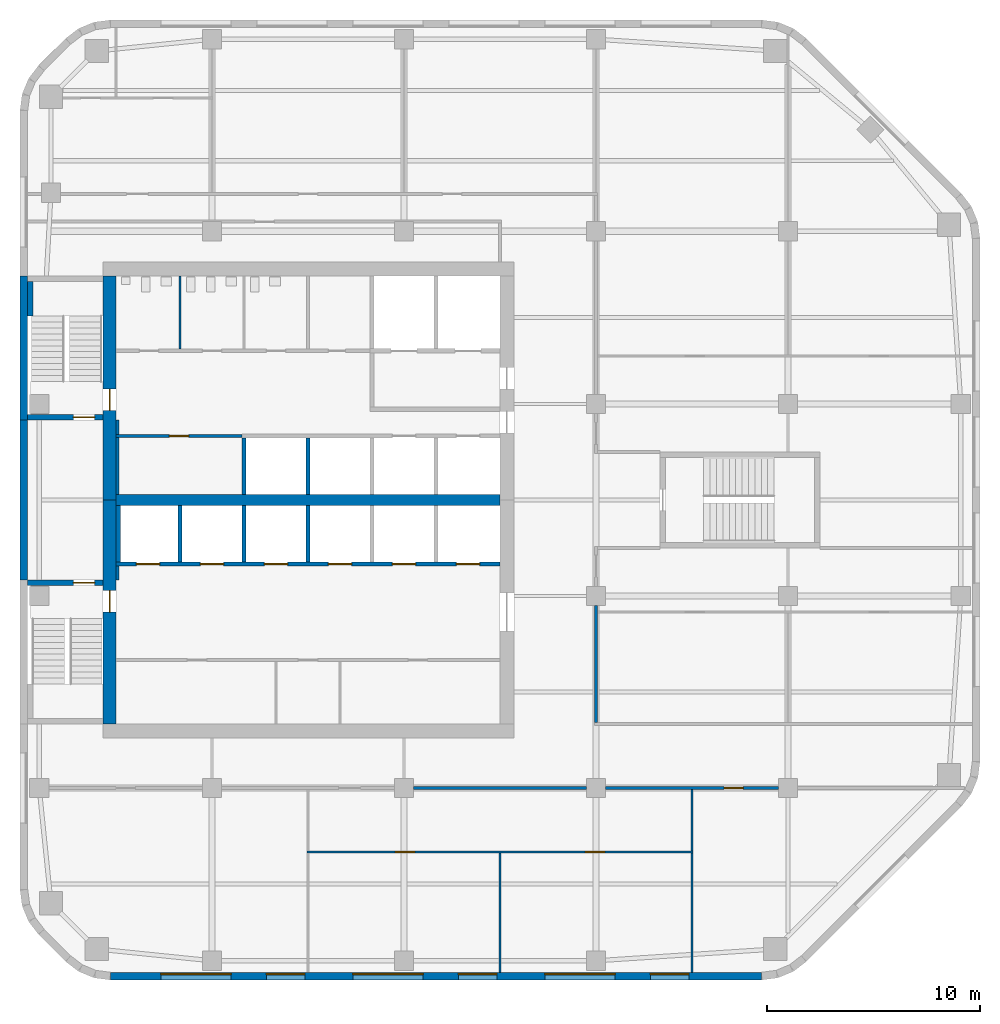
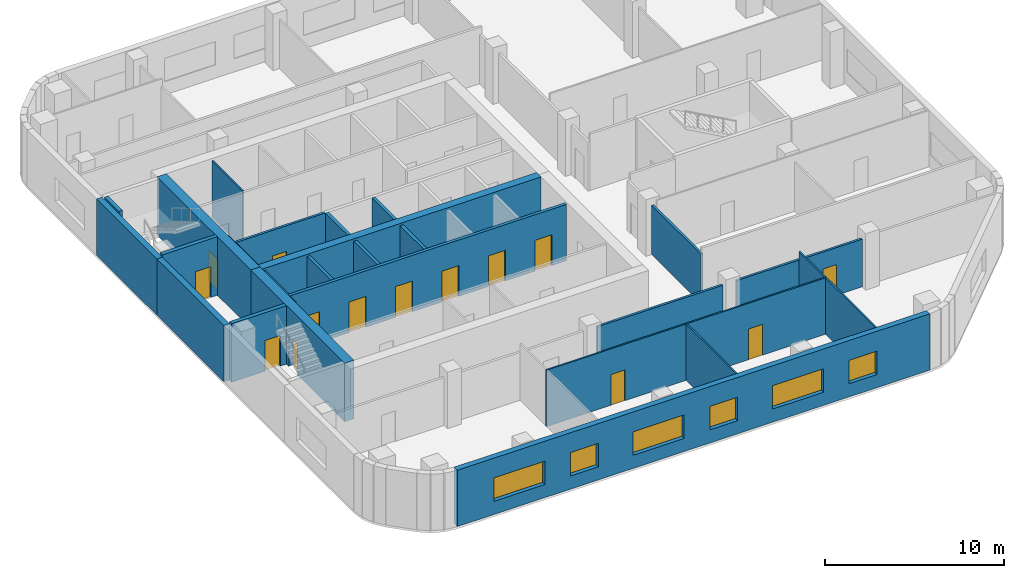
# One storey, part 3 of 8: 28 walls, 14 doors, 6 windows, 20 openings.
"""IFC4 building model written with IfcOpenShell, lengths in metres."""

from ifc_helpers import new_model, si_unit, direction, frame, frame_2d, origin, place, context, subcontext, project, spatial, rectangle, extrude, material, layer, layer_set, type_object, element, fill, save


model = new_model("IFC4")

# Units and contexts
model_context = context("Model", 3, precision=1e-05, world=origin(), true_north=direction((0.0, 1.0)))
body_context = subcontext(model_context, "Body", "Model", "MODEL_VIEW")
ifc_project = project(units=[si_unit("LENGTHUNIT", "METRE"), si_unit("AREAUNIT", "SQUARE_METRE"), si_unit("VOLUMEUNIT", "CUBIC_METRE"), si_unit("PLANEANGLEUNIT", "RADIAN"), si_unit("MASSUNIT", "GRAM", prefix="KILO")], contexts=[model_context])

# Site, building, storey
site_placement = place(None, origin())
site = spatial("IfcSite", under=ifc_project, at=site_placement, CompositionType="ELEMENT")
building_placement = place(site_placement, origin())
building = spatial("IfcBuilding", under=site, at=building_placement, Name="Cinnabar Reach Civic Tower", CompositionType="ELEMENT")
storey_placement = place(building_placement, frame((0.0, 0.0, 161.0)))
storey = spatial("IfcBuildingStorey", under=building, at=storey_placement, Name="L38", CompositionType="ELEMENT", Elevation=161.0)

# Wall, openings, windows
ifc_material_1 = material(Name="Facing brick with insulated backing", Category="masonry")
ifc_layer_1 = layer(ifc_material_1, 0.36)
ifc_layer_set_1 = layer_set([ifc_layer_1], Name="Brick pier and spandrel wall")
wall_type_1 = type_object("IfcWallType", Name="Brick pier and spandrel wall", PredefinedType="STANDARD", material=ifc_layer_set_1)
wall_1_placement = place(storey_placement, frame((4.2426, 9.18, 0.0), z_axis=(0.0, 0.0, 1.0), x_axis=(1.0, 0.0, 0.0)))
wall_1 = element("IfcWall", 1, at=wall_1_placement, inside=storey, type_object=wall_type_1, Name="Brick facade wall", PredefinedType="STANDARD", context=body_context, shape_type="SweptSolid", body=[
    extrude(rectangle(XDim=30.5148, YDim=0.36, at=frame_2d((15.2574, 0.0))), origin(), (0.0, 0.0, 1.0), 3.85),
])
opening_1_placement = place(wall_1_placement, frame((2.3574, 0.0, 0.9)))
opening_1 = element("IfcOpeningElement", 2, at=opening_1_placement, cuts=wall_1, Name="Opening W1781", PredefinedType="OPENING", context=body_context, shape_type="SweptSolid", body=[
    extrude(rectangle(XDim=3.3, YDim=1.6, at=frame_2d((1.65, 0.8))), frame((0.0, 0.19, 0.0), z_axis=(0.0, -1.0, 0.0), x_axis=(1.0, 0.0, 0.0)), (0.0, 0.0, 1.0), 0.38),
])
opening_2_placement = place(wall_1_placement, frame((7.3074, 0.0, 0.9)))
opening_2 = element("IfcOpeningElement", 3, at=opening_2_placement, cuts=wall_1, Name="Opening W1782", PredefinedType="OPENING", context=body_context, shape_type="SweptSolid", body=[
    extrude(rectangle(XDim=1.8, YDim=1.6, at=frame_2d((0.9, 0.8))), frame((0.0, 0.19, 0.0), z_axis=(0.0, -1.0, 0.0), x_axis=(1.0, 0.0, 0.0)), (0.0, 0.0, 1.0), 0.38),
])
opening_3_placement = place(wall_1_placement, frame((11.3574, 0.0, 0.9)))
opening_3 = element("IfcOpeningElement", 4, at=opening_3_placement, cuts=wall_1, Name="Opening W1783", PredefinedType="OPENING", context=body_context, shape_type="SweptSolid", body=[
    extrude(rectangle(XDim=3.3, YDim=1.6, at=frame_2d((1.65, 0.8))), frame((0.0, 0.19, 0.0), z_axis=(0.0, -1.0, 0.0), x_axis=(1.0, 0.0, 0.0)), (0.0, 0.0, 1.0), 0.38),
])
opening_4_placement = place(wall_1_placement, frame((16.3074, 0.0, 0.9)))
opening_4 = element("IfcOpeningElement", 5, at=opening_4_placement, cuts=wall_1, Name="Opening W1784", PredefinedType="OPENING", context=body_context, shape_type="SweptSolid", body=[
    extrude(rectangle(XDim=1.8, YDim=1.6, at=frame_2d((0.9, 0.8))), frame((0.0, 0.19, 0.0), z_axis=(0.0, -1.0, 0.0), x_axis=(1.0, 0.0, 0.0)), (0.0, 0.0, 1.0), 0.38),
])
opening_5_placement = place(wall_1_placement, frame((20.3574, 0.0, 0.9)))
opening_5 = element("IfcOpeningElement", 6, at=opening_5_placement, cuts=wall_1, Name="Opening W1785", PredefinedType="OPENING", context=body_context, shape_type="SweptSolid", body=[
    extrude(rectangle(XDim=3.3, YDim=1.6, at=frame_2d((1.65, 0.8))), frame((0.0, 0.19, 0.0), z_axis=(0.0, -1.0, 0.0), x_axis=(1.0, 0.0, 0.0)), (0.0, 0.0, 1.0), 0.38),
])
opening_6_placement = place(wall_1_placement, frame((25.3074, 0.0, 0.9)))
opening_6 = element("IfcOpeningElement", 7, at=opening_6_placement, cuts=wall_1, Name="Opening W1786", PredefinedType="OPENING", context=body_context, shape_type="SweptSolid", body=[
    extrude(rectangle(XDim=1.8, YDim=1.6, at=frame_2d((0.9, 0.8))), frame((0.0, 0.19, 0.0), z_axis=(0.0, -1.0, 0.0), x_axis=(1.0, 0.0, 0.0)), (0.0, 0.0, 1.0), 0.38),
])
ifc_material_2 = material(Name="Clear double glazing in aluminium frame", Category="aluminium")
window_type_1 = type_object("IfcWindowType", Name="Deep-set window A", PartitioningType="SINGLE_PANEL", PredefinedType="WINDOW", material=ifc_material_2)
window_1_placement = place(opening_1_placement, origin())
window_1 = element("IfcWindow", 8, at=window_1_placement, inside=storey, type_object=window_type_1, Name="Window south face", OverallHeight=1.6, OverallWidth=3.3, PartitioningType="SINGLE_PANEL", PredefinedType="WINDOW", context=body_context, shape_type="SweptSolid", body=[
    extrude(rectangle(XDim=3.3, YDim=1.6, at=frame_2d((1.65, 0.8))), frame((0.0, 0.13, 0.0), z_axis=(0.0, -1.0, 0.0), x_axis=(1.0, 0.0, 0.0)), (0.0, 0.0, 1.0), 0.06),
])
fill(opening_1, window_1)
window_2_placement = place(opening_3_placement, origin())
window_2 = element("IfcWindow", 9, at=window_2_placement, inside=storey, type_object=window_type_1, Name="Window south face", OverallHeight=1.6, OverallWidth=3.3, PartitioningType="SINGLE_PANEL", PredefinedType="WINDOW", context=body_context, shape_type="SweptSolid", body=[
    extrude(rectangle(XDim=3.3, YDim=1.6, at=frame_2d((1.65, 0.8))), frame((0.0, 0.13, 0.0), z_axis=(0.0, -1.0, 0.0), x_axis=(1.0, 0.0, 0.0)), (0.0, 0.0, 1.0), 0.06),
])
fill(opening_3, window_2)
window_3_placement = place(opening_5_placement, origin())
window_3 = element("IfcWindow", 10, at=window_3_placement, inside=storey, type_object=window_type_1, Name="Window south face", OverallHeight=1.6, OverallWidth=3.3, PartitioningType="SINGLE_PANEL", PredefinedType="WINDOW", context=body_context, shape_type="SweptSolid", body=[
    extrude(rectangle(XDim=3.3, YDim=1.6, at=frame_2d((1.65, 0.8))), frame((0.0, 0.13, 0.0), z_axis=(0.0, -1.0, 0.0), x_axis=(1.0, 0.0, 0.0)), (0.0, 0.0, 1.0), 0.06),
])
fill(opening_5, window_3)
window_type_2 = type_object("IfcWindowType", Name="Deep-set window D", PartitioningType="SINGLE_PANEL", PredefinedType="WINDOW", material=ifc_material_2)
window_4_placement = place(opening_2_placement, origin())
window_4 = element("IfcWindow", 11, at=window_4_placement, inside=storey, type_object=window_type_2, Name="Window south face", OverallHeight=1.6, OverallWidth=1.8, PartitioningType="SINGLE_PANEL", PredefinedType="WINDOW", context=body_context, shape_type="SweptSolid", body=[
    extrude(rectangle(XDim=1.8, YDim=1.6, at=frame_2d((0.9, 0.8))), frame((0.0, 0.13, 0.0), z_axis=(0.0, -1.0, 0.0), x_axis=(1.0, 0.0, 0.0)), (0.0, 0.0, 1.0), 0.06),
])
fill(opening_2, window_4)
window_5_placement = place(opening_4_placement, origin())
window_5 = element("IfcWindow", 12, at=window_5_placement, inside=storey, type_object=window_type_2, Name="Window south face", OverallHeight=1.6, OverallWidth=1.8, PartitioningType="SINGLE_PANEL", PredefinedType="WINDOW", context=body_context, shape_type="SweptSolid", body=[
    extrude(rectangle(XDim=1.8, YDim=1.6, at=frame_2d((0.9, 0.8))), frame((0.0, 0.13, 0.0), z_axis=(0.0, -1.0, 0.0), x_axis=(1.0, 0.0, 0.0)), (0.0, 0.0, 1.0), 0.06),
])
fill(opening_4, window_5)
window_6_placement = place(opening_6_placement, origin())
window_6 = element("IfcWindow", 13, at=window_6_placement, inside=storey, type_object=window_type_2, Name="Window south face", OverallHeight=1.6, OverallWidth=1.8, PartitioningType="SINGLE_PANEL", PredefinedType="WINDOW", context=body_context, shape_type="SweptSolid", body=[
    extrude(rectangle(XDim=1.8, YDim=1.6, at=frame_2d((0.9, 0.8))), frame((0.0, 0.13, 0.0), z_axis=(0.0, -1.0, 0.0), x_axis=(1.0, 0.0, 0.0)), (0.0, 0.0, 1.0), 0.06),
])
fill(opening_6, window_6)

# Walls
wall_2_placement = place(storey_placement, frame((0.18, 42.0, 0.0), z_axis=(0.0, 0.0, 1.0), x_axis=(0.0, -1.0, 0.0)))
element("IfcWall", 14, at=wall_2_placement, inside=storey, type_object=wall_type_1, Name="Brick facade wall", PredefinedType="STANDARD", context=body_context, shape_type="SweptSolid", body=[
    extrude(rectangle(XDim=6.75, YDim=0.36, at=frame_2d((3.375, 0.0))), origin(), (0.0, 0.0, 1.0), 3.85),
])
wall_3_placement = place(storey_placement, frame((0.18, 35.25, 0.0), z_axis=(0.0, 0.0, 1.0), x_axis=(0.0, -1.0, 0.0)))
element("IfcWall", 15, at=wall_3_placement, inside=storey, type_object=wall_type_1, Name="Brick facade wall", PredefinedType="STANDARD", context=body_context, shape_type="SweptSolid", body=[
    extrude(rectangle(XDim=7.5, YDim=0.36, at=frame_2d((3.75, 0.0))), origin(), (0.0, 0.0, 1.0), 3.85),
])
ifc_material_3 = material(Name="Concrete C60", Category="concrete")
ifc_layer_2 = layer(ifc_material_3, 0.5)
ifc_layer_set_2 = layer_set([ifc_layer_2], Name="Core wall 500 EI 180")
wall_type_2 = type_object("IfcWallType", Name="Core wall 500 EI 180", PredefinedType="SOLIDWALL", material=ifc_layer_set_2)
wall_4_placement = place(storey_placement, frame((4.5, 31.5, 0.0), z_axis=(0.0, 0.0, 1.0), x_axis=(1.0, 0.0, 0.0)))
element("IfcWall", 16, at=wall_4_placement, inside=storey, type_object=wall_type_2, Name="Core spine wall T1 L38", PredefinedType="SOLIDWALL", context=body_context, shape_type="SweptSolid", body=[
    extrude(rectangle(XDim=18.0, YDim=0.5, at=frame_2d((9.0, 0.0))), origin(), (0.0, 0.0, 1.0), 4.0),
])

# Wall, opening, door
ifc_material_4 = material(Name="Concrete C70", Category="concrete")
ifc_layer_3 = layer(ifc_material_4, 0.6)
ifc_layer_set_3 = layer_set([ifc_layer_3], Name="Core wall 600 EI 180")
wall_type_3 = type_object("IfcWallType", Name="Core wall 600 EI 180", PredefinedType="SOLIDWALL", material=ifc_layer_set_3)
wall_5_placement = place(storey_placement, frame((4.2, 42.0, 0.0), z_axis=(0.0, 0.0, 1.0), x_axis=(0.0, -1.0, 0.0)))
wall_5 = element("IfcWall", 17, at=wall_5_placement, inside=storey, type_object=wall_type_3, Name="Core wall T1 L38 W", PredefinedType="SOLIDWALL", context=body_context, shape_type="SweptSolid", body=[
    extrude(rectangle(XDim=10.5, YDim=0.6, at=frame_2d((5.25, 0.0))), origin(), (0.0, 0.0, 1.0), 4.0),
])
opening_7_placement = place(wall_5_placement, frame((5.3, 0.0, 0.0)))
opening_7 = element("IfcOpeningElement", 18, at=opening_7_placement, cuts=wall_5, Name="Opening D4544", PredefinedType="OPENING", context=body_context, shape_type="SweptSolid", body=[
    extrude(rectangle(XDim=1.0, YDim=2.1, at=frame_2d((0.5, 1.05))), frame((0.0, 0.31, 0.0), z_axis=(0.0, -1.0, 0.0), x_axis=(1.0, 0.0, 0.0)), (0.0, 0.0, 1.0), 0.62),
])
ifc_material_5 = material(Name="Timber door leaf in steel frame", Category="steel")
door_type_1 = type_object("IfcDoorType", Name="Stair door 1000 x 2100 T1", OperationType="SINGLE_SWING_LEFT", PredefinedType="DOOR", material=ifc_material_5)
door_1_placement = place(opening_7_placement, frame((1.0, 0.0, 0.0), z_axis=(0.0, 0.0, 1.0), x_axis=(-1.0, 0.0, 0.0)))
door_1 = element("IfcDoor", 19, at=door_1_placement, inside=storey, type_object=door_type_1, Name="Door D4544", OperationType="SINGLE_SWING_LEFT", OverallHeight=2.1, OverallWidth=1.0, PredefinedType="DOOR", context=body_context, shape_type="SweptSolid", body=[
    extrude(rectangle(XDim=1.0, YDim=2.1, at=frame_2d((0.5, 1.05))), frame((0.0, 0.025, 0.0), z_axis=(0.0, -1.0, 0.0), x_axis=(1.0, 0.0, 0.0)), (0.0, 0.0, 1.0), 0.05),
])
fill(opening_7, door_1)

wall_6_placement = place(storey_placement, frame((4.2, 31.5, 0.0), z_axis=(0.0, 0.0, 1.0), x_axis=(0.0, -1.0, 0.0)))
wall_6 = element("IfcWall", 20, at=wall_6_placement, inside=storey, type_object=wall_type_3, Name="Core wall T1 L38 W2", PredefinedType="SOLIDWALL", context=body_context, shape_type="SweptSolid", body=[
    extrude(rectangle(XDim=10.5, YDim=0.6, at=frame_2d((5.25, 0.0))), origin(), (0.0, 0.0, 1.0), 4.0),
])
opening_8_placement = place(wall_6_placement, frame((4.25, 0.0, 0.0)))
opening_8 = element("IfcOpeningElement", 21, at=opening_8_placement, cuts=wall_6, Name="Opening D4542", PredefinedType="OPENING", context=body_context, shape_type="SweptSolid", body=[
    extrude(rectangle(XDim=1.0, YDim=2.1, at=frame_2d((0.5, 1.05))), frame((0.0, 0.31, 0.0), z_axis=(0.0, -1.0, 0.0), x_axis=(1.0, 0.0, 0.0)), (0.0, 0.0, 1.0), 0.62),
])
door_2_placement = place(opening_8_placement, frame((1.0, 0.0, 0.0), z_axis=(0.0, 0.0, 1.0), x_axis=(-1.0, 0.0, 0.0)))
door_2 = element("IfcDoor", 22, at=door_2_placement, inside=storey, type_object=door_type_1, Name="Door D4542", OperationType="SINGLE_SWING_RIGHT", OverallHeight=2.1, OverallWidth=1.0, PredefinedType="DOOR", context=body_context, shape_type="SweptSolid", body=[
    extrude(rectangle(XDim=1.0, YDim=2.1, at=frame_2d((0.5, 1.05))), frame((0.0, 0.025, 0.0), z_axis=(0.0, -1.0, 0.0), x_axis=(1.0, 0.0, 0.0)), (0.0, 0.0, 1.0), 0.05),
])
fill(opening_8, door_2)

# Wall
ifc_material_6 = material(Name="Gypsum board on steel studs, double layer", Category="steel")
ifc_layer_4 = layer(ifc_material_6, 0.15)
ifc_layer_set_4 = layer_set([ifc_layer_4], Name="Corridor wall 150 T1")
wall_type_4 = type_object("IfcWallType", Name="Corridor wall 150 T1", PredefinedType="PARTITIONING", material=ifc_layer_set_4)
wall_7_placement = place(storey_placement, frame((18.45, 18.0, 0.0), z_axis=(0.0, 0.0, 1.0), x_axis=(1.0, 0.0, 0.0)))
element("IfcWall", 23, at=wall_7_placement, inside=storey, type_object=wall_type_4, Name="Corridor wall 20", PredefinedType="PARTITIONING", context=body_context, shape_type="SweptSolid", body=[
    extrude(rectangle(XDim=8.1, YDim=0.15, at=frame_2d((4.05, 0.0))), origin(), (0.0, 0.0, 1.0), 3.262),
])

# Wall, opening, door
wall_8_placement = place(storey_placement, frame((27.45, 18.0, 0.0), z_axis=(0.0, 0.0, 1.0), x_axis=(1.0, 0.0, 0.0)))
wall_8 = element("IfcWall", 24, at=wall_8_placement, inside=storey, type_object=wall_type_4, Name="Corridor wall 21", PredefinedType="PARTITIONING", context=body_context, shape_type="SweptSolid", body=[
    extrude(rectangle(XDim=8.1, YDim=0.15, at=frame_2d((4.05, 0.0))), origin(), (0.0, 0.0, 1.0), 3.262),
])
opening_9_placement = place(wall_8_placement, frame((5.55, 0.0, 0.0)))
opening_9 = element("IfcOpeningElement", 25, at=opening_9_placement, cuts=wall_8, Name="Opening D4578", PredefinedType="OPENING", context=body_context, shape_type="SweptSolid", body=[
    extrude(rectangle(XDim=0.9, YDim=2.1, at=frame_2d((0.45, 1.05))), frame((0.0, 0.085, 0.0), z_axis=(0.0, -1.0, 0.0), x_axis=(1.0, 0.0, 0.0)), (0.0, 0.0, 1.0), 0.17),
])
door_type_2 = type_object("IfcDoorType", Name="Single swing door 900 x 2100 corridor T1", OperationType="SINGLE_SWING_LEFT", PredefinedType="DOOR", material=ifc_material_5)
door_3_placement = place(opening_9_placement, frame((0.9, 0.0, 0.0), z_axis=(0.0, 0.0, 1.0), x_axis=(-1.0, 0.0, 0.0)))
door_3 = element("IfcDoor", 26, at=door_3_placement, inside=storey, type_object=door_type_2, Name="Door D4578", OperationType="SINGLE_SWING_LEFT", OverallHeight=2.1, OverallWidth=0.9, PredefinedType="DOOR", context=body_context, shape_type="SweptSolid", body=[
    extrude(rectangle(XDim=0.9, YDim=2.1, at=frame_2d((0.45, 1.05))), frame((0.0, 0.025, 0.0), z_axis=(0.0, -1.0, 0.0), x_axis=(1.0, 0.0, 0.0)), (0.0, 0.0, 1.0), 0.05),
])
fill(opening_9, door_3)

# Wall
wall_9_placement = place(storey_placement, frame((27.0, 21.075, 0.0), z_axis=(0.0, 0.0, 1.0), x_axis=(0.0, 1.0, 0.0)))
element("IfcWall", 27, at=wall_9_placement, inside=storey, type_object=wall_type_4, Name="Corridor wall 32", PredefinedType="PARTITIONING", context=body_context, shape_type="SweptSolid", body=[
    extrude(rectangle(XDim=5.475, YDim=0.15, at=frame_2d((2.7375, 0.0))), origin(), (0.0, 0.0, 1.0), 3.362),
])

# Wall, opening, door
wall_10_placement = place(storey_placement, frame((4.5, 34.5, 0.0), z_axis=(0.0, 0.0, 1.0), x_axis=(1.0, 0.0, 0.0)))
wall_10 = element("IfcWall", 28, at=wall_10_placement, inside=storey, type_object=wall_type_4, Name="Corridor wall 34", PredefinedType="PARTITIONING", context=body_context, shape_type="SweptSolid", body=[
    extrude(rectangle(XDim=5.9, YDim=0.15, at=frame_2d((2.95, 0.0))), origin(), (0.0, 0.0, 1.0), 3.85),
])
opening_10_placement = place(wall_10_placement, frame((2.5, 0.0, 0.0)))
opening_10 = element("IfcOpeningElement", 29, at=opening_10_placement, cuts=wall_10, Name="Opening D4563", PredefinedType="OPENING", context=body_context, shape_type="SweptSolid", body=[
    extrude(rectangle(XDim=0.9, YDim=2.1, at=frame_2d((0.45, 1.05))), frame((0.0, 0.085, 0.0), z_axis=(0.0, -1.0, 0.0), x_axis=(1.0, 0.0, 0.0)), (0.0, 0.0, 1.0), 0.17),
])
door_4_placement = place(opening_10_placement, frame((0.9, 0.0, 0.0), z_axis=(0.0, 0.0, 1.0), x_axis=(-1.0, 0.0, 0.0)))
door_4 = element("IfcDoor", 30, at=door_4_placement, inside=storey, type_object=door_type_2, Name="Door D4563", OperationType="SINGLE_SWING_RIGHT", OverallHeight=2.1, OverallWidth=0.9, PredefinedType="DOOR", context=body_context, shape_type="SweptSolid", body=[
    extrude(rectangle(XDim=0.9, YDim=2.1, at=frame_2d((0.45, 1.05))), frame((0.0, 0.025, 0.0), z_axis=(0.0, -1.0, 0.0), x_axis=(1.0, 0.0, 0.0)), (0.0, 0.0, 1.0), 0.05),
])
fill(opening_10, door_4)

# Walls
wall_11_placement = place(storey_placement, frame((4.575, 34.575, 0.0), z_axis=(0.0, 0.0, 1.0), x_axis=(0.0, 1.0, 0.0)))
element("IfcWall", 31, at=wall_11_placement, inside=storey, type_object=wall_type_4, Name="Corridor wall 35", PredefinedType="PARTITIONING", context=body_context, shape_type="SweptSolid", body=[
    extrude(rectangle(XDim=0.675, YDim=0.15, at=frame_2d((0.3375, 0.0))), origin(), (0.0, 0.0, 1.0), 3.85),
])
wall_12_placement = place(storey_placement, frame((4.575, 31.75, 0.0), z_axis=(0.0, 0.0, 1.0), x_axis=(0.0, 1.0, 0.0)))
element("IfcWall", 32, at=wall_12_placement, inside=storey, type_object=wall_type_4, Name="Corridor wall 36", PredefinedType="PARTITIONING", context=body_context, shape_type="SweptSolid", body=[
    extrude(rectangle(XDim=2.675, YDim=0.15, at=frame_2d((1.3375, 0.0))), origin(), (0.0, 0.0, 1.0), 3.85),
])
wall_13_placement = place(storey_placement, frame((4.575, 27.75, 0.0), z_axis=(0.0, 0.0, 1.0), x_axis=(0.0, 1.0, 0.0)))
element("IfcWall", 33, at=wall_13_placement, inside=storey, type_object=wall_type_4, Name="Corridor wall 40", PredefinedType="PARTITIONING", context=body_context, shape_type="SweptSolid", body=[
    extrude(rectangle(XDim=0.65, YDim=0.15, at=frame_2d((0.325, 0.0))), origin(), (0.0, 0.0, 1.0), 3.85),
])

# Wall, openings, doors
ifc_material_7 = material(Name="Blockwork", Category="masonry")
ifc_layer_5 = layer(ifc_material_7, 0.2)
ifc_layer_set_5 = layer_set([ifc_layer_5], Name="Lift shaft wall 200 T1")
wall_type_5 = type_object("IfcWallType", Name="Lift shaft wall 200 T1", PredefinedType="PARTITIONING", material=ifc_layer_set_5)
wall_14_placement = place(storey_placement, frame((4.5, 28.5, 0.0), z_axis=(0.0, 0.0, 1.0), x_axis=(1.0, 0.0, 0.0)))
wall_14 = element("IfcWall", 34, at=wall_14_placement, inside=storey, type_object=wall_type_5, Name="Lift shaft wall 4", PredefinedType="PARTITIONING", context=body_context, shape_type="SweptSolid", body=[
    extrude(rectangle(XDim=18.0, YDim=0.2, at=frame_2d((9.0, 0.0))), origin(), (0.0, 0.0, 1.0), 3.85),
])
opening_11_placement = place(wall_14_placement, frame((0.95, 0.0, 0.0)))
opening_11 = element("IfcOpeningElement", 35, at=opening_11_placement, cuts=wall_14, Name="Opening D4546", PredefinedType="OPENING", context=body_context, shape_type="SweptSolid", body=[
    extrude(rectangle(XDim=1.1, YDim=2.1, at=frame_2d((0.55, 1.05))), frame((0.0, 0.11, 0.0), z_axis=(0.0, -1.0, 0.0), x_axis=(1.0, 0.0, 0.0)), (0.0, 0.0, 1.0), 0.22),
])
opening_12_placement = place(wall_14_placement, frame((3.95, 0.0, 0.0)))
opening_12 = element("IfcOpeningElement", 36, at=opening_12_placement, cuts=wall_14, Name="Opening D4547", PredefinedType="OPENING", context=body_context, shape_type="SweptSolid", body=[
    extrude(rectangle(XDim=1.1, YDim=2.1, at=frame_2d((0.55, 1.05))), frame((0.0, 0.11, 0.0), z_axis=(0.0, -1.0, 0.0), x_axis=(1.0, 0.0, 0.0)), (0.0, 0.0, 1.0), 0.22),
])
opening_13_placement = place(wall_14_placement, frame((6.95, 0.0, 0.0)))
opening_13 = element("IfcOpeningElement", 37, at=opening_13_placement, cuts=wall_14, Name="Opening D4548", PredefinedType="OPENING", context=body_context, shape_type="SweptSolid", body=[
    extrude(rectangle(XDim=1.1, YDim=2.1, at=frame_2d((0.55, 1.05))), frame((0.0, 0.11, 0.0), z_axis=(0.0, -1.0, 0.0), x_axis=(1.0, 0.0, 0.0)), (0.0, 0.0, 1.0), 0.22),
])
opening_14_placement = place(wall_14_placement, frame((9.95, 0.0, 0.0)))
opening_14 = element("IfcOpeningElement", 38, at=opening_14_placement, cuts=wall_14, Name="Opening D4549", PredefinedType="OPENING", context=body_context, shape_type="SweptSolid", body=[
    extrude(rectangle(XDim=1.1, YDim=2.1, at=frame_2d((0.55, 1.05))), frame((0.0, 0.11, 0.0), z_axis=(0.0, -1.0, 0.0), x_axis=(1.0, 0.0, 0.0)), (0.0, 0.0, 1.0), 0.22),
])
opening_15_placement = place(wall_14_placement, frame((12.95, 0.0, 0.0)))
opening_15 = element("IfcOpeningElement", 39, at=opening_15_placement, cuts=wall_14, Name="Opening D4550", PredefinedType="OPENING", context=body_context, shape_type="SweptSolid", body=[
    extrude(rectangle(XDim=1.1, YDim=2.1, at=frame_2d((0.55, 1.05))), frame((0.0, 0.11, 0.0), z_axis=(0.0, -1.0, 0.0), x_axis=(1.0, 0.0, 0.0)), (0.0, 0.0, 1.0), 0.22),
])
opening_16_placement = place(wall_14_placement, frame((15.95, 0.0, 0.0)))
opening_16 = element("IfcOpeningElement", 40, at=opening_16_placement, cuts=wall_14, Name="Opening D4551", PredefinedType="OPENING", context=body_context, shape_type="SweptSolid", body=[
    extrude(rectangle(XDim=1.1, YDim=2.1, at=frame_2d((0.55, 1.05))), frame((0.0, 0.11, 0.0), z_axis=(0.0, -1.0, 0.0), x_axis=(1.0, 0.0, 0.0)), (0.0, 0.0, 1.0), 0.22),
])
ifc_material_8 = material(Name="Stainless steel sliding door", Category="steel")
door_type_3 = type_object("IfcDoorType", Name="Lift landing door 1100 x 2100 T1", OperationType="SLIDING_TO_LEFT", PredefinedType="DOOR", material=ifc_material_8)
door_5_placement = place(opening_11_placement, origin())
door_5 = element("IfcDoor", 41, at=door_5_placement, inside=storey, type_object=door_type_3, Name="Lift landing door HR1 L38", OperationType="SLIDING_TO_LEFT", OverallHeight=2.1, OverallWidth=1.1, PredefinedType="DOOR", context=body_context, shape_type="SweptSolid", body=[
    extrude(rectangle(XDim=1.1, YDim=2.1, at=frame_2d((0.55, 1.05))), frame((0.0, 0.025, 0.0), z_axis=(0.0, -1.0, 0.0), x_axis=(1.0, 0.0, 0.0)), (0.0, 0.0, 1.0), 0.05),
])
fill(opening_11, door_5)
door_6_placement = place(opening_12_placement, origin())
door_6 = element("IfcDoor", 42, at=door_6_placement, inside=storey, type_object=door_type_3, Name="Lift landing door HR2 L38", OperationType="SLIDING_TO_LEFT", OverallHeight=2.1, OverallWidth=1.1, PredefinedType="DOOR", context=body_context, shape_type="SweptSolid", body=[
    extrude(rectangle(XDim=1.1, YDim=2.1, at=frame_2d((0.55, 1.05))), frame((0.0, 0.025, 0.0), z_axis=(0.0, -1.0, 0.0), x_axis=(1.0, 0.0, 0.0)), (0.0, 0.0, 1.0), 0.05),
])
fill(opening_12, door_6)
door_7_placement = place(opening_13_placement, origin())
door_7 = element("IfcDoor", 43, at=door_7_placement, inside=storey, type_object=door_type_3, Name="Lift landing door HR3 L38", OperationType="SLIDING_TO_LEFT", OverallHeight=2.1, OverallWidth=1.1, PredefinedType="DOOR", context=body_context, shape_type="SweptSolid", body=[
    extrude(rectangle(XDim=1.1, YDim=2.1, at=frame_2d((0.55, 1.05))), frame((0.0, 0.025, 0.0), z_axis=(0.0, -1.0, 0.0), x_axis=(1.0, 0.0, 0.0)), (0.0, 0.0, 1.0), 0.05),
])
fill(opening_13, door_7)
door_8_placement = place(opening_14_placement, origin())
door_8 = element("IfcDoor", 44, at=door_8_placement, inside=storey, type_object=door_type_3, Name="Lift landing door HR4 L38", OperationType="SLIDING_TO_LEFT", OverallHeight=2.1, OverallWidth=1.1, PredefinedType="DOOR", context=body_context, shape_type="SweptSolid", body=[
    extrude(rectangle(XDim=1.1, YDim=2.1, at=frame_2d((0.55, 1.05))), frame((0.0, 0.025, 0.0), z_axis=(0.0, -1.0, 0.0), x_axis=(1.0, 0.0, 0.0)), (0.0, 0.0, 1.0), 0.05),
])
fill(opening_14, door_8)
door_9_placement = place(opening_15_placement, origin())
door_9 = element("IfcDoor", 45, at=door_9_placement, inside=storey, type_object=door_type_3, Name="Lift landing door HR5 L38", OperationType="SLIDING_TO_LEFT", OverallHeight=2.1, OverallWidth=1.1, PredefinedType="DOOR", context=body_context, shape_type="SweptSolid", body=[
    extrude(rectangle(XDim=1.1, YDim=2.1, at=frame_2d((0.55, 1.05))), frame((0.0, 0.025, 0.0), z_axis=(0.0, -1.0, 0.0), x_axis=(1.0, 0.0, 0.0)), (0.0, 0.0, 1.0), 0.05),
])
fill(opening_15, door_9)
door_10_placement = place(opening_16_placement, origin())
door_10 = element("IfcDoor", 46, at=door_10_placement, inside=storey, type_object=door_type_3, Name="Lift landing door HR6 L38", OperationType="SLIDING_TO_LEFT", OverallHeight=2.1, OverallWidth=1.1, PredefinedType="DOOR", context=body_context, shape_type="SweptSolid", body=[
    extrude(rectangle(XDim=1.1, YDim=2.1, at=frame_2d((0.55, 1.05))), frame((0.0, 0.025, 0.0), z_axis=(0.0, -1.0, 0.0), x_axis=(1.0, 0.0, 0.0)), (0.0, 0.0, 1.0), 0.05),
])
fill(opening_16, door_10)

# Walls
for number, where, z_axis, x_axis, name in (
    (47, (10.5, 28.6, 0.0), (0.0, 0.0, 1.0), (0.0, 1.0, 0.0), "Lift shaft wall 6"),
    (48, (10.5, 31.75, 0.0), (0.0, 0.0, 1.0), (0.0, 1.0, 0.0), "Lift shaft wall 7"),
    (49, (13.5, 28.6, 0.0), (0.0, 0.0, 1.0), (0.0, 1.0, 0.0), "Lift shaft wall 8"),
    (50, (13.5, 31.75, 0.0), (0.0, 0.0, 1.0), (0.0, 1.0, 0.0), "Lift shaft wall 9"),
    (51, (4.6, 28.6, 0.0), (0.0, 0.0, 1.0), (0.0, 1.0, 0.0), "Lift shaft wall 16"),
    (52, (7.5, 28.6, 0.0), (0.0, 0.0, 1.0), (0.0, 1.0, 0.0), "Lift shaft wall 17"),
):
    element("IfcWall", number, at=place(storey_placement, frame(where, z_axis=z_axis, x_axis=x_axis)), inside=storey, type_object=wall_type_5, Name=name, PredefinedType="PARTITIONING", context=body_context, shape_type="SweptSolid", body=[
        extrude(rectangle(XDim=2.65, YDim=0.2, at=frame_2d((1.325, 0.0))), origin(), (0.0, 0.0, 1.0), 3.85),
    ])

# Wall, openings, doors
ifc_material_9 = material(Name="Gypsum board on steel studs", Category="steel")
ifc_layer_6 = layer(ifc_material_9, 0.1)
ifc_layer_set_6 = layer_set([ifc_layer_6], Name="Partition wall 100 T1")
wall_type_6 = type_object("IfcWallType", Name="Partition wall 100 T1", PredefinedType="PARTITIONING", material=ifc_layer_set_6)
wall_15_placement = place(storey_placement, frame((13.45, 15.0, 0.0), z_axis=(0.0, 0.0, 1.0), x_axis=(1.0, 0.0, 0.0)))
wall_15 = element("IfcWall", 53, at=wall_15_placement, inside=storey, type_object=wall_type_6, Name="Partition wall 43", PredefinedType="PARTITIONING", context=body_context, shape_type="SweptSolid", body=[
    extrude(rectangle(XDim=18.1, YDim=0.1, at=frame_2d((9.05, 0.0))), origin(), (0.0, 0.0, 1.0), 3.85),
])
opening_17_placement = place(wall_15_placement, frame((4.15, 0.0, 0.0)))
opening_17 = element("IfcOpeningElement", 54, at=opening_17_placement, cuts=wall_15, Name="Opening D4576", PredefinedType="OPENING", context=body_context, shape_type="SweptSolid", body=[
    extrude(rectangle(XDim=0.9, YDim=2.1, at=frame_2d((0.45, 1.05))), frame((0.0, 0.06, 0.0), z_axis=(0.0, -1.0, 0.0), x_axis=(1.0, 0.0, 0.0)), (0.0, 0.0, 1.0), 0.12),
])
opening_18_placement = place(wall_15_placement, frame((13.05, 0.0, 0.0)))
opening_18 = element("IfcOpeningElement", 55, at=opening_18_placement, cuts=wall_15, Name="Opening D4577", PredefinedType="OPENING", context=body_context, shape_type="SweptSolid", body=[
    extrude(rectangle(XDim=0.9, YDim=2.1, at=frame_2d((0.45, 1.05))), frame((0.0, 0.06, 0.0), z_axis=(0.0, -1.0, 0.0), x_axis=(1.0, 0.0, 0.0)), (0.0, 0.0, 1.0), 0.12),
])
door_type_4 = type_object("IfcDoorType", Name="Single swing door 900 x 2100 T1", OperationType="SINGLE_SWING_LEFT", PredefinedType="DOOR", material=ifc_material_5)
door_11_placement = place(opening_17_placement, frame((0.9, 0.0, 0.0), z_axis=(0.0, 0.0, 1.0), x_axis=(-1.0, 0.0, 0.0)))
door_11 = element("IfcDoor", 56, at=door_11_placement, inside=storey, type_object=door_type_4, Name="Door D4576", OperationType="SINGLE_SWING_RIGHT", OverallHeight=2.1, OverallWidth=0.9, PredefinedType="DOOR", context=body_context, shape_type="SweptSolid", body=[
    extrude(rectangle(XDim=0.9, YDim=2.1, at=frame_2d((0.45, 1.05))), frame((0.0, 0.025, 0.0), z_axis=(0.0, -1.0, 0.0), x_axis=(1.0, 0.0, 0.0)), (0.0, 0.0, 1.0), 0.05),
])
fill(opening_17, door_11)
door_12_placement = place(opening_18_placement, frame((0.9, 0.0, 0.0), z_axis=(0.0, 0.0, 1.0), x_axis=(-1.0, 0.0, 0.0)))
door_12 = element("IfcDoor", 57, at=door_12_placement, inside=storey, type_object=door_type_4, Name="Door D4577", OperationType="SINGLE_SWING_RIGHT", OverallHeight=2.1, OverallWidth=0.9, PredefinedType="DOOR", context=body_context, shape_type="SweptSolid", body=[
    extrude(rectangle(XDim=0.9, YDim=2.1, at=frame_2d((0.45, 1.05))), frame((0.0, 0.025, 0.0), z_axis=(0.0, -1.0, 0.0), x_axis=(1.0, 0.0, 0.0)), (0.0, 0.0, 1.0), 0.05),
])
fill(opening_18, door_12)

# Walls
wall_16_placement = place(storey_placement, frame((31.5, 15.05, 0.0), z_axis=(0.0, 0.0, 1.0), x_axis=(0.0, 1.0, 0.0)))
element("IfcWall", 58, at=wall_16_placement, inside=storey, type_object=wall_type_6, Name="Partition wall 50", PredefinedType="PARTITIONING", context=body_context, shape_type="SweptSolid", body=[
    extrude(rectangle(XDim=2.875, YDim=0.1, at=frame_2d((1.4375, 0.0))), origin(), (0.0, 0.0, 1.0), 3.85),
])
for number, where, z_axis, x_axis, name in (
    (59, (31.5, 9.36, 0.0), (0.0, 0.0, 1.0), (0.0, 1.0, 0.0), "Partition wall 51"),
    (60, (22.5, 9.36, 0.0), (0.0, 0.0, 1.0), (0.0, 1.0, 0.0), "Partition wall 57"),
):
    element("IfcWall", number, at=place(storey_placement, frame(where, z_axis=z_axis, x_axis=x_axis)), inside=storey, type_object=wall_type_6, Name=name, PredefinedType="PARTITIONING", context=body_context, shape_type="SweptSolid", body=[
        extrude(rectangle(XDim=5.59, YDim=0.1, at=frame_2d((2.795, 0.0))), origin(), (0.0, 0.0, 1.0), 3.85),
    ])
wall_17_placement = place(storey_placement, frame((7.5, 38.575, 0.0), z_axis=(0.0, 0.0, 1.0), x_axis=(0.0, 1.0, 0.0)))
element("IfcWall", 61, at=wall_17_placement, inside=storey, type_object=wall_type_6, Name="Partition wall 59", PredefinedType="PARTITIONING", context=body_context, shape_type="SweptSolid", body=[
    extrude(rectangle(XDim=3.425, YDim=0.1, at=frame_2d((1.7125, 0.0))), origin(), (0.0, 0.0, 1.0), 3.85),
])

# Wall, opening, door
ifc_layer_7 = layer(ifc_material_3, 0.25)
ifc_layer_set_7 = layer_set([ifc_layer_7], Name="Stair shaft wall 250 EI 120")
wall_type_7 = type_object("IfcWallType", Name="Stair shaft wall 250 EI 120", PredefinedType="SOLIDWALL", material=ifc_layer_set_7)
wall_18_placement = place(storey_placement, frame((3.9, 27.625, 0.0), z_axis=(0.0, 0.0, 1.0), x_axis=(-1.0, 0.0, 0.0)))
wall_18 = element("IfcWall", 62, at=wall_18_placement, inside=storey, type_object=wall_type_7, Name="Stair shaft wall T1-S1 L38", PredefinedType="SOLIDWALL", context=body_context, shape_type="SweptSolid", body=[
    extrude(rectangle(XDim=3.54, YDim=0.25, at=frame_2d((1.77, 0.0))), origin(), (0.0, 0.0, 1.0), 4.0),
])
opening_19_placement = place(wall_18_placement, frame((0.4, 0.0, 0.0)))
opening_19 = element("IfcOpeningElement", 63, at=opening_19_placement, cuts=wall_18, Name="Opening D4543", PredefinedType="OPENING", context=body_context, shape_type="SweptSolid", body=[
    extrude(rectangle(XDim=1.0, YDim=2.1, at=frame_2d((0.5, 1.05))), frame((0.0, 0.135, 0.0), z_axis=(0.0, -1.0, 0.0), x_axis=(1.0, 0.0, 0.0)), (0.0, 0.0, 1.0), 0.27),
])
door_13_placement = place(opening_19_placement, origin())
door_13 = element("IfcDoor", 64, at=door_13_placement, inside=storey, type_object=door_type_1, Name="Door D4543", OperationType="SINGLE_SWING_LEFT", OverallHeight=2.1, OverallWidth=1.0, PredefinedType="DOOR", context=body_context, shape_type="SweptSolid", body=[
    extrude(rectangle(XDim=1.0, YDim=2.1, at=frame_2d((0.5, 1.05))), frame((0.0, 0.025, 0.0), z_axis=(0.0, -1.0, 0.0), x_axis=(1.0, 0.0, 0.0)), (0.0, 0.0, 1.0), 0.05),
])
fill(opening_19, door_13)

wall_19_placement = place(storey_placement, frame((0.36, 35.375, 0.0), z_axis=(0.0, 0.0, 1.0), x_axis=(1.0, 0.0, 0.0)))
wall_19 = element("IfcWall", 65, at=wall_19_placement, inside=storey, type_object=wall_type_7, Name="Stair shaft wall T1-S2 L38", PredefinedType="SOLIDWALL", context=body_context, shape_type="SweptSolid", body=[
    extrude(rectangle(XDim=3.54, YDim=0.25, at=frame_2d((1.77, 0.0))), origin(), (0.0, 0.0, 1.0), 4.0),
])
opening_20_placement = place(wall_19_placement, frame((2.14, 0.0, 0.0)))
opening_20 = element("IfcOpeningElement", 66, at=opening_20_placement, cuts=wall_19, Name="Opening D4545", PredefinedType="OPENING", context=body_context, shape_type="SweptSolid", body=[
    extrude(rectangle(XDim=1.0, YDim=2.1, at=frame_2d((0.5, 1.05))), frame((0.0, 0.135, 0.0), z_axis=(0.0, -1.0, 0.0), x_axis=(1.0, 0.0, 0.0)), (0.0, 0.0, 1.0), 0.27),
])
door_14_placement = place(opening_20_placement, origin())
door_14 = element("IfcDoor", 67, at=door_14_placement, inside=storey, type_object=door_type_1, Name="Door D4545", OperationType="SINGLE_SWING_RIGHT", OverallHeight=2.1, OverallWidth=1.0, PredefinedType="DOOR", context=body_context, shape_type="SweptSolid", body=[
    extrude(rectangle(XDim=1.0, YDim=2.1, at=frame_2d((0.5, 1.05))), frame((0.0, 0.025, 0.0), z_axis=(0.0, -1.0, 0.0), x_axis=(1.0, 0.0, 0.0)), (0.0, 0.0, 1.0), 0.05),
])
fill(opening_20, door_14)

# Wall
ifc_material_10 = material(Name="Concrete C40/50", Category="concrete")
ifc_layer_8 = layer(ifc_material_10, 0.24)
ifc_layer_set_8 = layer_set([ifc_layer_8], Name="T1 landing bearer wall 240")
wall_type_8 = type_object("IfcWallType", Name="T1 landing bearer wall 240", PredefinedType="STANDARD", material=ifc_layer_set_8)
wall_20_placement = place(storey_placement, frame((0.48, 40.13, 0.0), z_axis=(0.0, 0.0, 1.0), x_axis=(0.0, 1.0, 0.0)))
element("IfcWall", 68, at=wall_20_placement, inside=storey, type_object=wall_type_8, Name="T1-S2 landing bearer wall", PredefinedType="STANDARD", context=body_context, shape_type="SweptSolid", body=[
    extrude(rectangle(XDim=1.62, YDim=0.24, at=frame_2d((0.81, 0.0))), origin(), (0.0, 0.0, 1.0), 4.0),
])

save(model, "model.ifc")
